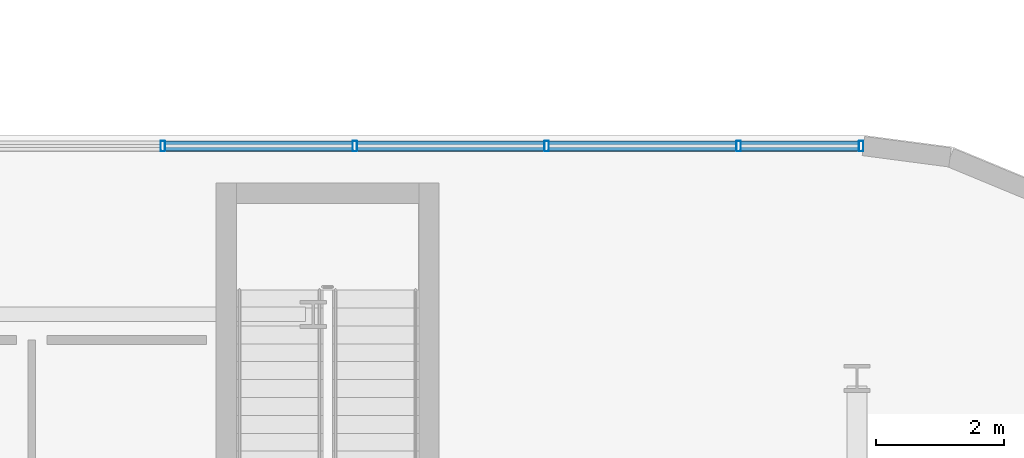
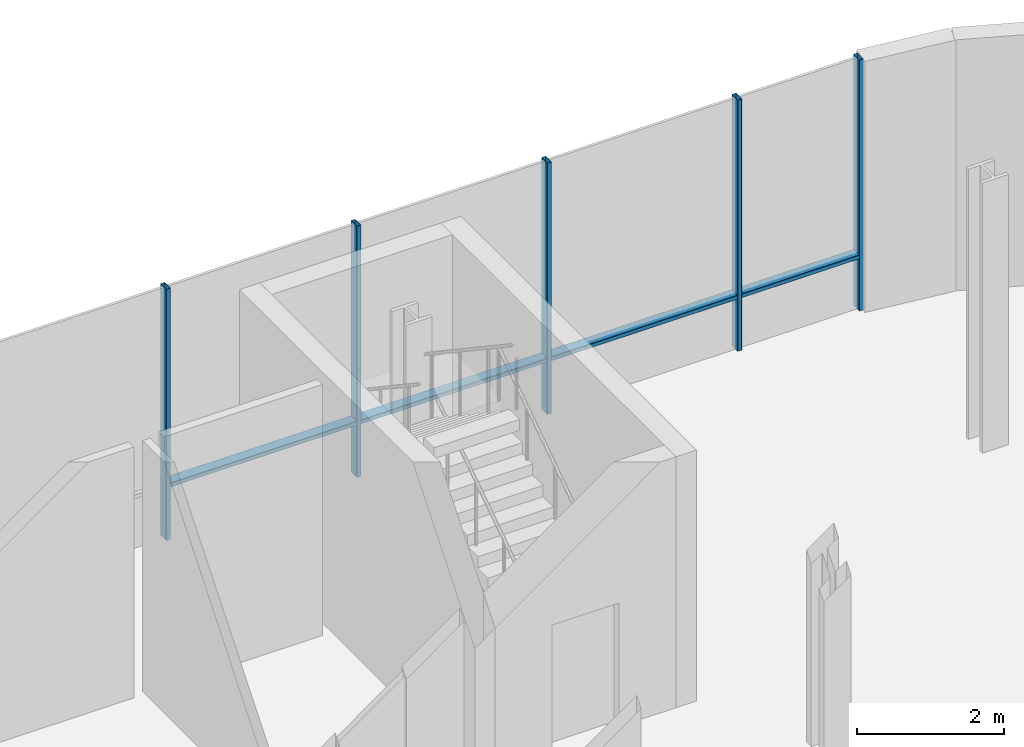
# One storey, part 13 of 28: 9 members, 1 element without a shape of its own.
"""IFC4 building model written with IfcOpenShell, lengths in metres."""

from ifc_helpers import new_model, si_unit, direction, frame, origin, origin_2d, place, context, subcontext, project, spatial, hollow_rectangle, extrude, material, layer, layer_set, material_profile, profile_set, type_object, element, aggregate, save


model = new_model("IFC4")

# Units and contexts
model_context = context("Model", 3, precision=1e-05, world=origin(), true_north=direction((0.0, 1.0)))
body_context = subcontext(model_context, "Body", "Model", "MODEL_VIEW")
ifc_project = project(units=[si_unit("LENGTHUNIT", "METRE"), si_unit("AREAUNIT", "SQUARE_METRE"), si_unit("VOLUMEUNIT", "CUBIC_METRE"), si_unit("PLANEANGLEUNIT", "RADIAN"), si_unit("MASSUNIT", "GRAM", prefix="KILO")], contexts=[model_context])

# Site, building, storey
site_placement = place(None, origin())
site = spatial("IfcSite", under=ifc_project, at=site_placement, CompositionType="ELEMENT")
building_placement = place(site_placement, origin())
building = spatial("IfcBuilding", under=site, at=building_placement, Name="Brevholm Reach", CompositionType="ELEMENT")
storey_placement = place(building_placement, origin())
storey = spatial("IfcBuildingStorey", under=building, at=storey_placement, Name="L00", CompositionType="ELEMENT", Elevation=0.0)

# Curtain wall, members
ifc_material_1 = material(Name="Dark Anodised Aluminium 6063-T6 and Solar-Control Glass", Category="aluminium")
ifc_layer = layer(ifc_material_1, 0.1650390625)
ifc_layer_set = layer_set([ifc_layer], Name="Dark Anodised Aluminium 6063-T6 and Solar-Control Glass")
curtain_wall_type = type_object("IfcCurtainWallType", Name="CW-03", PredefinedType="NOTDEFINED", material=ifc_layer_set)
curtain_wall_placement = place(storey_placement, origin())
curtain_wall = element("IfcCurtainWall", 1, at=curtain_wall_placement, inside=storey, type_object=curtain_wall_type, Name="L00 Curtain Wall CW-03", PredefinedType="NOTDEFINED")
ifc_material_2 = material(Name="Dark Anodised Aluminium 6063-T6", Category="aluminium")
ifc_material_profile_1 = material_profile(ifc_material_2, hollow_rectangle(XDim=0.070068359375, YDim=0.1650390625, WallThickness=0.0048828125, InnerFilletRadius=0.0048828125, OuterFilletRadius=0.010009765625, at=origin_2d()), Name="RHS 165x70x5")
ifc_profile_set_1 = profile_set([ifc_material_profile_1], Name="Dark Anodised Aluminium 6063-T6")
member_type_1 = type_object("IfcMemberType", Name="CWM-165", PredefinedType="MULLION", material=ifc_profile_set_1)
member_1_placement = place(storey_placement, frame((54.64990234375, 39.830078125, 0.0), z_axis=(0.0, 0.0, 1.0), x_axis=(1.0, 0.0, 0.0)))
member_1 = element("IfcMember", 2, at=member_1_placement, type_object=member_type_1, Name="CM-165 Mullion 3", PredefinedType="MULLION", context=body_context, shape_type="SweptSolid", body=[
    extrude(hollow_rectangle(XDim=0.070068359375, YDim=0.1650390625, WallThickness=0.0048828125, InnerFilletRadius=0.0048828125, OuterFilletRadius=0.010009765625, at=origin_2d()), origin(), (0.0, 0.0, 1.0), 4.179931640625),
])
member_2_placement = place(storey_placement, frame((57.64990234375, 39.830078125, 0.0), z_axis=(0.0, 0.0, 1.0), x_axis=(1.0, 0.0, 0.0)))
member_2 = element("IfcMember", 3, at=member_2_placement, type_object=member_type_1, Name="CM-165 Mullion 4", PredefinedType="MULLION", context=body_context, shape_type="SweptSolid", body=[
    extrude(hollow_rectangle(XDim=0.070068359375, YDim=0.1650390625, WallThickness=0.0048828125, InnerFilletRadius=0.0048828125, OuterFilletRadius=0.010009765625, at=origin_2d()), origin(), (0.0, 0.0, 1.0), 4.179931640625),
])
member_3_placement = place(storey_placement, frame((60.64990234375, 39.830078125, 0.0), z_axis=(0.0, 0.0, 1.0), x_axis=(1.0, 0.0, 0.0)))
member_3 = element("IfcMember", 4, at=member_3_placement, type_object=member_type_1, Name="CM-165 Mullion 5", PredefinedType="MULLION", context=body_context, shape_type="SweptSolid", body=[
    extrude(hollow_rectangle(XDim=0.070068359375, YDim=0.1650390625, WallThickness=0.0048828125, InnerFilletRadius=0.0048828125, OuterFilletRadius=0.010009765625, at=origin_2d()), origin(), (0.0, 0.0, 1.0), 4.179931640625),
])
member_4_placement = place(storey_placement, frame((63.64990234375, 39.830078125, 0.0), z_axis=(0.0, 0.0, 1.0), x_axis=(1.0, 0.0, 0.0)))
member_4 = element("IfcMember", 5, at=member_4_placement, type_object=member_type_1, Name="CM-165 Mullion 6", PredefinedType="MULLION", context=body_context, shape_type="SweptSolid", body=[
    extrude(hollow_rectangle(XDim=0.070068359375, YDim=0.1650390625, WallThickness=0.0048828125, InnerFilletRadius=0.0048828125, OuterFilletRadius=0.010009765625, at=origin_2d()), origin(), (0.0, 0.0, 1.0), 4.179931640625),
])
member_5_placement = place(storey_placement, frame((65.56494140625, 39.830078125, 0.0), z_axis=(0.0, 0.0, 1.0), x_axis=(1.0, 0.0, 0.0)))
member_5 = element("IfcMember", 6, at=member_5_placement, type_object=member_type_1, Name="CM-165 Mullion 7", PredefinedType="MULLION", context=body_context, shape_type="SweptSolid", body=[
    extrude(hollow_rectangle(XDim=0.070068359375, YDim=0.1650390625, WallThickness=0.0048828125, InnerFilletRadius=0.0048828125, OuterFilletRadius=0.010009765625, at=origin_2d()), origin(), (0.0, 0.0, 1.0), 4.179931640625),
])
ifc_material_3 = material(Name="Dark Anodised Aluminium 6063-T6", Category="aluminium")
ifc_material_profile_2 = material_profile(ifc_material_3, hollow_rectangle(XDim=0.070068359375, YDim=0.1650390625, WallThickness=0.0048828125, InnerFilletRadius=0.0048828125, OuterFilletRadius=0.010009765625, at=origin_2d()), Name="RHS 165x70x5")
ifc_profile_set_2 = profile_set([ifc_material_profile_2], Name="Dark Anodised Aluminium 6063-T6")
member_type_2 = type_object("IfcMemberType", Name="CWT-165", PredefinedType="NOTDEFINED", material=ifc_profile_set_2)
member_6_placement = place(storey_placement, frame((54.68505859375, 39.830078125, 0.89990234375), z_axis=(1.0, 0.0, 0.0), x_axis=(0.0, 0.0, 1.0)))
member_6 = element("IfcMember", 7, at=member_6_placement, type_object=member_type_2, Name="CT-165 Transom 3.1", ObjectType="TRANSOM", PredefinedType="USERDEFINED", context=body_context, shape_type="SweptSolid", body=[
    extrude(hollow_rectangle(XDim=0.070068359375, YDim=0.1650390625, WallThickness=0.0048828125, InnerFilletRadius=0.0048828125, OuterFilletRadius=0.010009765625, at=origin_2d()), origin(), (0.0, 0.0, 1.0), 2.929931640625),
])
member_7_placement = place(storey_placement, frame((57.68505859375, 39.830078125, 0.89990234375), z_axis=(1.0, 0.0, 0.0), x_axis=(0.0, 0.0, 1.0)))
member_7 = element("IfcMember", 8, at=member_7_placement, type_object=member_type_2, Name="CT-165 Transom 4.1", ObjectType="TRANSOM", PredefinedType="USERDEFINED", context=body_context, shape_type="SweptSolid", body=[
    extrude(hollow_rectangle(XDim=0.070068359375, YDim=0.1650390625, WallThickness=0.0048828125, InnerFilletRadius=0.0048828125, OuterFilletRadius=0.010009765625, at=origin_2d()), origin(), (0.0, 0.0, 1.0), 2.929931640625),
])
member_8_placement = place(storey_placement, frame((60.68505859375, 39.830078125, 0.89990234375), z_axis=(1.0, 0.0, 0.0), x_axis=(0.0, 0.0, 1.0)))
member_8 = element("IfcMember", 9, at=member_8_placement, type_object=member_type_2, Name="CT-165 Transom 5.1", ObjectType="TRANSOM", PredefinedType="USERDEFINED", context=body_context, shape_type="SweptSolid", body=[
    extrude(hollow_rectangle(XDim=0.070068359375, YDim=0.1650390625, WallThickness=0.0048828125, InnerFilletRadius=0.0048828125, OuterFilletRadius=0.010009765625, at=origin_2d()), origin(), (0.0, 0.0, 1.0), 2.929931640625),
])
member_9_placement = place(storey_placement, frame((63.68505859375, 39.830078125, 0.89990234375), z_axis=(1.0, 0.0, 0.0), x_axis=(0.0, 0.0, 1.0)))
member_9 = element("IfcMember", 10, at=member_9_placement, type_object=member_type_2, Name="CT-165 Transom 6.1", ObjectType="TRANSOM", PredefinedType="USERDEFINED", context=body_context, shape_type="SweptSolid", body=[
    extrude(hollow_rectangle(XDim=0.070068359375, YDim=0.1650390625, WallThickness=0.0048828125, InnerFilletRadius=0.0048828125, OuterFilletRadius=0.010009765625, at=origin_2d()), origin(), (0.0, 0.0, 1.0), 1.844970703125),
])
aggregate(curtain_wall, [member_1, member_2, member_3, member_4, member_5, member_6, member_7, member_8, member_9])

save(model, "model.ifc")
